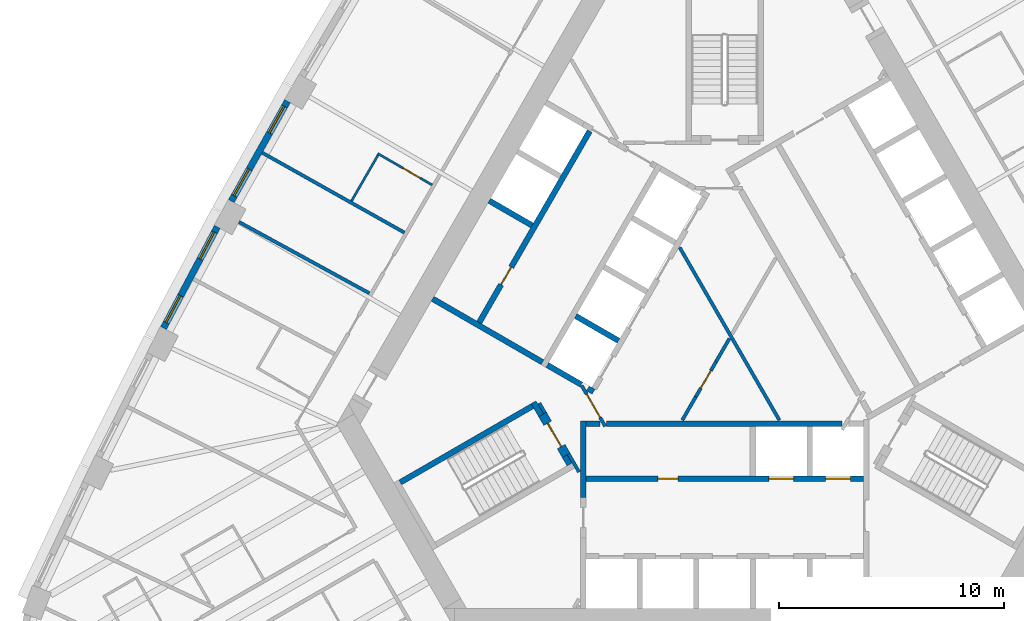
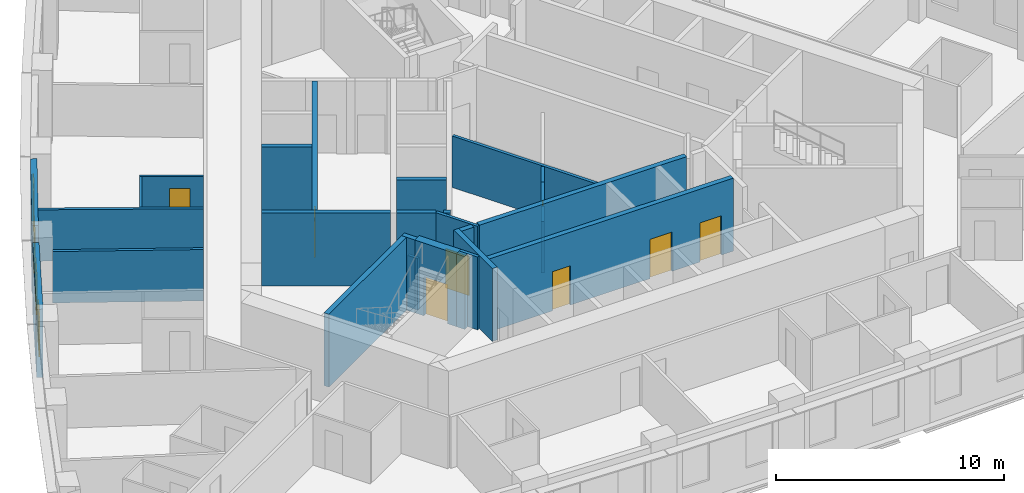
# One storey, part 5 of 12: 27 walls, 8 doors, 4 windows, 12 openings.
"""IFC4 building model written with IfcOpenShell, lengths in metres."""

from ifc_helpers import new_model, si_unit, direction, frame, frame_2d, origin, place, context, subcontext, project, spatial, rectangle, extrude, material, layer, layer_set, type_object, element, fill, save


model = new_model("IFC4")

# Units and contexts
model_context = context("Model", 3, precision=1e-05, world=origin(), true_north=direction((0.0, 1.0)))
body_context = subcontext(model_context, "Body", "Model", "MODEL_VIEW")
ifc_project = project(units=[si_unit("LENGTHUNIT", "METRE"), si_unit("AREAUNIT", "SQUARE_METRE"), si_unit("VOLUMEUNIT", "CUBIC_METRE"), si_unit("PLANEANGLEUNIT", "RADIAN"), si_unit("MASSUNIT", "GRAM", prefix="KILO")], contexts=[model_context])

# Site, building, storey
site_placement = place(None, origin())
site = spatial("IfcSite", under=ifc_project, at=site_placement, CompositionType="ELEMENT")
building_placement = place(site_placement, origin())
building = spatial("IfcBuilding", under=site, at=building_placement, Name="Mestral Congress Tower", CompositionType="ELEMENT")
storey_placement = place(building_placement, frame((0.0, 0.0, 122.699951171875)))
storey = spatial("IfcBuildingStorey", under=building, at=storey_placement, Name="L29", CompositionType="ELEMENT", Elevation=122.699951171875)

# Walls
ifc_material_1 = material(Name="Fire-rated board partition")
ifc_layer_1 = layer(ifc_material_1, 0.14990234375)
ifc_layer_set_1 = layer_set([ifc_layer_1], Name="Fire-rated board partition")
wall_type_1 = type_object("IfcWallType", Name="Core partition 150", PredefinedType="PARTITIONING", material=ifc_layer_set_1)
wall_1_placement = place(storey_placement, frame((-1.886962890625, -3.71826171875, 0.0), z_axis=(0.0, 0.0, 1.0), x_axis=(0.500057179532, 0.865992388649, 0.0)))
element("IfcWall", 1, at=wall_1_placement, inside=storey, type_object=wall_type_1, Name="L29 core wall", PredefinedType="PARTITIONING", context=body_context, shape_type="SweptSolid", body=[
    extrude(rectangle(XDim=1.199462890625, YDim=0.14990234375, at=frame_2d((0.599609375, 0.0))), origin(), (0.0, 0.0, 1.0), 2.75),
])
wall_2_placement = place(storey_placement, frame((-8.251953125, -2.958251953125, 0.0), z_axis=(0.0, 0.0, 1.0), x_axis=(0.500174715838, -0.865924508047, 0.0)))
element("IfcWall", 2, at=wall_2_placement, inside=storey, type_object=wall_type_1, Name="L29 core wall", PredefinedType="PARTITIONING", context=body_context, shape_type="SweptSolid", body=[
    extrude(rectangle(XDim=0.513916015625, YDim=0.14990234375, at=frame_2d((0.2568359375, 0.0))), origin(), (0.0, 0.0, 1.0), 2.75),
])
wall_3_placement = place(storey_placement, frame((2.435302734375, -3.71826171875, 0.0), z_axis=(0.0, 0.0, 1.0), x_axis=(-0.499985176046, 0.866033962229, 0.0)))
element("IfcWall", 3, at=wall_3_placement, inside=storey, type_object=wall_type_1, Name="L29 core wall", PredefinedType="PARTITIONING", context=body_context, shape_type="SweptSolid", body=[
    extrude(rectangle(XDim=8.875244140625, YDim=0.14990234375, at=frame_2d((4.4375, 0.0))), origin(), (0.0, 0.0, 1.0), 2.75),
])
wall_4_placement = place(storey_placement, frame((-0.38720703125, -1.12060546875, 0.0), z_axis=(0.0, 0.0, 1.0), x_axis=(0.500057179532, 0.865992388649, 0.0)))
element("IfcWall", 4, at=wall_4_placement, inside=storey, type_object=wall_type_1, Name="L29 core wall", PredefinedType="PARTITIONING", context=body_context, shape_type="SweptSolid", body=[
    extrude(rectangle(XDim=1.199462890625, YDim=0.14990234375, at=frame_2d((0.599609375, 0.0))), origin(), (0.0, 0.0, 1.0), 2.75),
])

# Wall, opening, door
wall_5_placement = place(storey_placement, frame((-1.287109375, -2.679443359375, 0.0), z_axis=(0.0, 0.0, 1.0), x_axis=(0.499961193289, 0.866047807691, 0.0)))
wall_5 = element("IfcWall", 5, at=wall_5_placement, inside=storey, type_object=wall_type_1, Name="L29 door wall", PredefinedType="PARTITIONING", context=body_context, shape_type="SweptSolid", body=[
    extrude(rectangle(XDim=1.800048828125, YDim=0.14990234375, at=frame_2d((0.89990234375, 0.0))), origin(), (0.0, 0.0, 1.0), 2.75),
])
opening_1_placement = place(wall_5_placement, frame((0.449951171875, 0.0, 0.0)))
opening_1 = element("IfcOpeningElement", 6, at=opening_1_placement, cuts=wall_5, Name="Opening SD-HUB2", PredefinedType="OPENING", context=body_context, shape_type="SweptSolid", body=[
    extrude(rectangle(XDim=0.89990234375, YDim=2.10009765625, at=frame_2d((0.449951171875, 1.050048828125))), frame((0.0, 0.0849609375, 0.0), z_axis=(0.0, -1.0, 0.0), x_axis=(1.0, 0.0, 0.0)), (0.0, 0.0, 1.0), 0.169921875),
])
ifc_material_2 = material(Name="Fire-rated steel door set", Category="steel")
door_type_1 = type_object("IfcDoorType", Name="Core door SR 900x2100", OperationType="SINGLE_SWING_LEFT", PredefinedType="DOOR", material=ifc_material_2)
door_1_placement = place(opening_1_placement, origin())
door_1 = element("IfcDoor", 7, at=door_1_placement, inside=storey, type_object=door_type_1, Name="Door SD-HUB2", OperationType="SINGLE_SWING_LEFT", OverallHeight=2.10009765625, OverallWidth=0.89990234375, PredefinedType="DOOR", context=body_context, shape_type="SweptSolid", body=[
    extrude(rectangle(XDim=0.89990234375, YDim=2.10009765625, at=frame_2d((0.449951171875, 1.050048828125))), frame((0.0, 0.02490234375, 0.0), z_axis=(0.0, -1.0, 0.0), x_axis=(1.0, 0.0, 0.0)), (0.0, 0.0, 1.0), 0.050048828125),
])
fill(opening_1, door_1)

# Wall, openings, windows
ifc_material_3 = material(Name="Precast concrete C40/50 with limestone facing", Category="masonry")
ifc_layer_2 = layer(ifc_material_3, 0.2900390625)
ifc_layer_set_2 = layer_set([ifc_layer_2], Name="Precast concrete C40/50 with limestone facing")
wall_type_2 = type_object("IfcWallType", Name="Facade stone wall 290", PredefinedType="SOLIDWALL", material=ifc_layer_set_2)
wall_6_placement = place(storey_placement, frame((-19.4580078125, 10.479736328125, 0.0), z_axis=(0.0, 0.0, 1.0), x_axis=(-0.48983164787, -0.87181704316, 0.0)))
wall_6 = element("IfcWall", 8, at=wall_6_placement, inside=storey, type_object=wall_type_2, Name="Facade wall F2-04", PredefinedType="SOLIDWALL", context=body_context, shape_type="SweptSolid", body=[
    extrude(rectangle(XDim=5.100341796875, YDim=0.2900390625, at=frame_2d((2.55029296875, 0.0))), origin(), (0.0, 0.0, 1.0), 3.650146484375),
])
opening_2_placement = place(wall_6_placement, frame((0.2724609375, 0.0, 0.89990234375)))
opening_2 = element("IfcOpeningElement", 9, at=opening_2_placement, cuts=wall_6, Name="Opening W2", PredefinedType="OPENING", context=body_context, shape_type="SweptSolid", body=[
    extrude(rectangle(XDim=1.35009765625, YDim=2.14990234375, at=frame_2d((0.675048828125, 1.074951171875))), frame((0.0, 0.155029296875, 0.0), z_axis=(0.0, -1.0, 0.0), x_axis=(1.0, 0.0, 0.0)), (0.0, 0.0, 1.0), 0.31005859375),
])
opening_3_placement = place(wall_6_placement, frame((3.477783203125, 0.0, 0.89990234375)))
opening_3 = element("IfcOpeningElement", 10, at=opening_3_placement, cuts=wall_6, Name="Opening W2", PredefinedType="OPENING", context=body_context, shape_type="SweptSolid", body=[
    extrude(rectangle(XDim=1.35009765625, YDim=2.14990234375, at=frame_2d((0.675048828125, 1.074951171875))), frame((0.0, 0.155029296875, 0.0), z_axis=(0.0, -1.0, 0.0), x_axis=(1.0, 0.0, 0.0)), (0.0, 0.0, 1.0), 0.31005859375),
])
ifc_material_4 = material(Name="Clear low-emissivity double glazing", Category="glass")
window_type = type_object("IfcWindowType", Name="Facade punched window 1350 x 2150 sill 900", PartitioningType="DOUBLE_PANEL_VERTICAL", PredefinedType="WINDOW", material=ifc_material_4)
window_1_placement = place(opening_2_placement, origin())
window_1 = element("IfcWindow", 11, at=window_1_placement, inside=storey, type_object=window_type, Name="Window F2-04a", OverallHeight=2.14990234375, OverallWidth=1.35009765625, PartitioningType="DOUBLE_PANEL_VERTICAL", PredefinedType="WINDOW", context=body_context, shape_type="SweptSolid", body=[
    extrude(rectangle(XDim=1.35009765625, YDim=2.14990234375, at=frame_2d((0.675048828125, 1.074951171875))), frame((0.0, 0.01513671875, 0.0), z_axis=(0.0, -1.0, 0.0), x_axis=(1.0, 0.0, 0.0)), (0.0, 0.0, 1.0), 0.06005859375),
])
fill(opening_2, window_1)
window_2_placement = place(opening_3_placement, origin())
window_2 = element("IfcWindow", 12, at=window_2_placement, inside=storey, type_object=window_type, Name="Window F2-04b", OverallHeight=2.14990234375, OverallWidth=1.35009765625, PartitioningType="DOUBLE_PANEL_VERTICAL", PredefinedType="WINDOW", context=body_context, shape_type="SweptSolid", body=[
    extrude(rectangle(XDim=1.35009765625, YDim=2.14990234375, at=frame_2d((0.675048828125, 1.074951171875))), frame((0.0, 0.01513671875, 0.0), z_axis=(0.0, -1.0, 0.0), x_axis=(1.0, 0.0, 0.0)), (0.0, 0.0, 1.0), 0.06005859375),
])
fill(opening_3, window_2)

wall_7_placement = place(storey_placement, frame((-22.5830078125, 4.88671875, 0.0), z_axis=(0.0, 0.0, 1.0), x_axis=(-0.469323203119, -0.883026461106, 0.0)))
wall_7 = element("IfcWall", 13, at=wall_7_placement, inside=storey, type_object=wall_type_2, Name="Facade wall F2-05", PredefinedType="SOLIDWALL", context=body_context, shape_type="SweptSolid", body=[
    extrude(rectangle(XDim=5.1005859375, YDim=0.2900390625, at=frame_2d((2.55029296875, 0.0))), origin(), (0.0, 0.0, 1.0), 3.650146484375),
])
opening_4_placement = place(wall_7_placement, frame((0.272705078125, 0.0, 0.89990234375)))
opening_4 = element("IfcOpeningElement", 14, at=opening_4_placement, cuts=wall_7, Name="Opening W2", PredefinedType="OPENING", context=body_context, shape_type="SweptSolid", body=[
    extrude(rectangle(XDim=1.35009765625, YDim=2.14990234375, at=frame_2d((0.675048828125, 1.074951171875))), frame((0.0, 0.155029296875, 0.0), z_axis=(0.0, -1.0, 0.0), x_axis=(1.0, 0.0, 0.0)), (0.0, 0.0, 1.0), 0.31005859375),
])
opening_5_placement = place(wall_7_placement, frame((3.477783203125, 0.0, 0.89990234375)))
opening_5 = element("IfcOpeningElement", 15, at=opening_5_placement, cuts=wall_7, Name="Opening W2", PredefinedType="OPENING", context=body_context, shape_type="SweptSolid", body=[
    extrude(rectangle(XDim=1.35009765625, YDim=2.14990234375, at=frame_2d((0.675048828125, 1.074951171875))), frame((0.0, 0.155029296875, 0.0), z_axis=(0.0, -1.0, 0.0), x_axis=(1.0, 0.0, 0.0)), (0.0, 0.0, 1.0), 0.31005859375),
])
window_3_placement = place(opening_4_placement, origin())
window_3 = element("IfcWindow", 16, at=window_3_placement, inside=storey, type_object=window_type, Name="Window F2-05a", OverallHeight=2.14990234375, OverallWidth=1.35009765625, PartitioningType="DOUBLE_PANEL_VERTICAL", PredefinedType="WINDOW", context=body_context, shape_type="SweptSolid", body=[
    extrude(rectangle(XDim=1.35009765625, YDim=2.14990234375, at=frame_2d((0.675048828125, 1.074951171875))), frame((0.0, 0.01513671875, 0.0), z_axis=(0.0, -1.0, 0.0), x_axis=(1.0, 0.0, 0.0)), (0.0, 0.0, 1.0), 0.06005859375),
])
fill(opening_4, window_3)
window_4_placement = place(opening_5_placement, origin())
window_4 = element("IfcWindow", 17, at=window_4_placement, inside=storey, type_object=window_type, Name="Window F2-05b", OverallHeight=2.14990234375, OverallWidth=1.35009765625, PartitioningType="DOUBLE_PANEL_VERTICAL", PredefinedType="WINDOW", context=body_context, shape_type="SweptSolid", body=[
    extrude(rectangle(XDim=1.35009765625, YDim=2.14990234375, at=frame_2d((0.675048828125, 1.074951171875))), frame((0.0, 0.01513671875, 0.0), z_axis=(0.0, -1.0, 0.0), x_axis=(1.0, 0.0, 0.0)), (0.0, 0.0, 1.0), 0.06005859375),
])
fill(opening_5, window_4)

# Wall, opening, door
ifc_material_5 = material(Name="Gypsum board partition on metal studs with mineral wool", Category="composite")
ifc_layer_3 = layer(ifc_material_5, 0.10009765625)
ifc_layer_set_3 = layer_set([ifc_layer_3], Name="Gypsum board partition on metal studs with mineral wool")
wall_type_3 = type_object("IfcWallType", Name="Hotel partition wall 100", PredefinedType="PARTITIONING", material=ifc_layer_set_3)
wall_8_placement = place(storey_placement, frame((-13.018798828125, 6.750732421875, 0.0), z_axis=(0.0, 0.0, 1.0), x_axis=(-0.866034573852, 0.49998411664, 0.0)))
wall_8 = element("IfcWall", 18, at=wall_8_placement, inside=storey, type_object=wall_type_3, Name="L29-h-pod15a", PredefinedType="PARTITIONING", context=body_context, shape_type="SweptSolid", body=[
    extrude(rectangle(XDim=2.7998046875, YDim=0.10009765625, at=frame_2d((1.39990234375, 0.0))), origin(), (0.0, 0.0, 1.0), 2.75),
])
opening_6_placement = place(wall_8_placement, frame((0.60009765625, 0.0, 0.0)))
opening_6 = element("IfcOpeningElement", 19, at=opening_6_placement, cuts=wall_8, Name="Opening H09-030", PredefinedType="OPENING", context=body_context, shape_type="SweptSolid", body=[
    extrude(rectangle(XDim=0.89990234375, YDim=2.10009765625, at=frame_2d((0.449951171875, 1.050048828125))), frame((0.0, 0.06005859375, 0.0), z_axis=(0.0, -1.0, 0.0), x_axis=(1.0, 0.0, 0.0)), (0.0, 0.0, 1.0), 0.1201171875),
])
ifc_material_6 = material(Name="Timber veneer door leaf in timber frame", Category="wood")
door_type_2 = type_object("IfcDoorType", Name="Bathroom door 900", OperationType="SINGLE_SWING_LEFT", PredefinedType="DOOR", material=ifc_material_6)
door_2_placement = place(opening_6_placement, origin())
door_2 = element("IfcDoor", 20, at=door_2_placement, inside=storey, type_object=door_type_2, Name="L29-h-d030", OperationType="SINGLE_SWING_RIGHT", OverallHeight=2.10009765625, OverallWidth=0.89990234375, PredefinedType="DOOR", context=body_context, shape_type="SweptSolid", body=[
    extrude(rectangle(XDim=0.89990234375, YDim=2.10009765625, at=frame_2d((0.449951171875, 1.050048828125))), frame((0.0, 0.02490234375, 0.0), z_axis=(0.0, -1.0, 0.0), x_axis=(1.0, 0.0, 0.0)), (0.0, 0.0, 1.0), 0.050048828125),
])
fill(opening_6, door_2)

# Walls
wall_9_placement = place(storey_placement, frame((-15.42529296875, 8.08251953125, 0.0), z_axis=(0.0, 0.0, 1.0), x_axis=(-0.500032858622, -0.866006432019, 0.0)))
element("IfcWall", 21, at=wall_9_placement, inside=storey, type_object=wall_type_3, Name="L29-h-pod15b", PredefinedType="PARTITIONING", context=body_context, shape_type="SweptSolid", body=[
    extrude(rectangle(XDim=2.360107421875, YDim=0.10009765625, at=frame_2d((1.18017578125, 0.0))), origin(), (0.0, 0.0, 1.0), 2.75),
])
ifc_layer_4 = layer(ifc_material_5, 0.14990234375)
ifc_layer_set_4 = layer_set([ifc_layer_4], Name="Gypsum board partition on metal studs with mineral wool")
wall_type_4 = type_object("IfcWallType", Name="Hotel partition wall 150", PredefinedType="PARTITIONING", material=ifc_layer_set_4)
wall_10_placement = place(storey_placement, frame((-21.614013671875, 5.1015625, 0.0), z_axis=(0.0, 0.0, 1.0), x_axis=(0.877484555087, -0.479604895287, 0.0)))
element("IfcWall", 22, at=wall_10_placement, inside=storey, type_object=wall_type_4, Name="L29-h-pw05", PredefinedType="PARTITIONING", context=body_context, shape_type="SweptSolid", body=[
    extrude(rectangle(XDim=6.611083984375, YDim=0.14990234375, at=frame_2d((3.3056640625, 0.0))), origin(), (0.0, 0.0, 1.0), 2.75),
])
wall_11_placement = place(storey_placement, frame((-20.580810546875, 8.185302734375, 0.0), z_axis=(0.0, 0.0, 1.0), x_axis=(0.871820720803, -0.489825102233, 0.0)))
element("IfcWall", 23, at=wall_11_placement, inside=storey, type_object=wall_type_4, Name="L29-h-pw06", PredefinedType="PARTITIONING", context=body_context, shape_type="SweptSolid", body=[
    extrude(rectangle(XDim=7.256591796875, YDim=0.14990234375, at=frame_2d((3.62841796875, 0.0))), origin(), (0.0, 0.0, 1.0), 2.75),
])
ifc_material_7 = material(Name="Concrete C60/75", Category="concrete")
ifc_layer_5 = layer(ifc_material_7, 0.25)
ifc_layer_set_5 = layer_set([ifc_layer_5], Name="Concrete C60/75")
wall_type_5 = type_object("IfcWallType", Name="Shaft wall RC 250", PredefinedType="SOLIDWALL", material=ifc_layer_set_5)
wall_12_placement = place(storey_placement, frame((-5.25927734375, -3.875, 0.0), z_axis=(0.0, 0.0, 1.0), x_axis=(1.0, 0.0, 0.0)))
element("IfcWall", 24, at=wall_12_placement, inside=storey, type_object=wall_type_5, Name="L29 core wall", PredefinedType="SOLIDWALL", context=body_context, shape_type="SweptSolid", body=[
    extrude(rectangle(XDim=10.488525390625, YDim=0.25, at=frame_2d((5.244140625, 0.0))), origin(), (0.0, 0.0, 1.0), 3.900146484375),
])
wall_13_placement = place(storey_placement, frame((-6.300048828125, -3.75, 0.0), z_axis=(0.0, 0.0, 1.0), x_axis=(0.0, -1.0, 0.0)))
element("IfcWall", 25, at=wall_13_placement, inside=storey, type_object=wall_type_5, Name="L29 core wall", PredefinedType="SOLIDWALL", context=body_context, shape_type="SweptSolid", body=[
    extrude(rectangle(XDim=3.404296875, YDim=0.25, at=frame_2d((1.7021484375, 0.0))), origin(), (0.0, 0.0, 1.0), 3.900146484375),
])
wall_14_placement = place(storey_placement, frame((-6.175048828125, -3.875, 0.0), z_axis=(0.0, 0.0, 1.0), x_axis=(1.0, 0.0, 0.0)))
element("IfcWall", 26, at=wall_14_placement, inside=storey, type_object=wall_type_5, Name="L29 core wall", PredefinedType="SOLIDWALL", context=body_context, shape_type="SweptSolid", body=[
    extrude(rectangle(XDim=0.63671875, YDim=0.25, at=frame_2d((0.318359375, 0.0))), origin(), (0.0, 0.0, 1.0), 3.900146484375),
])
wall_15_placement = place(storey_placement, frame((-4.72412109375, -0.182373046875, 0.0), z_axis=(0.0, 0.0, 1.0), x_axis=(-0.866008176907, 0.50002983664, 0.0)))
element("IfcWall", 27, at=wall_15_placement, inside=storey, type_object=wall_type_5, Name="L29 core wall", PredefinedType="SOLIDWALL", context=body_context, shape_type="SweptSolid", body=[
    extrude(rectangle(XDim=2.199951171875, YDim=0.25, at=frame_2d((1.10009765625, 0.0))), origin(), (0.0, 0.0, 1.0), 3.900146484375),
])
wall_16_placement = place(storey_placement, frame((-6.088134765625, -2.3046875, 0.0), z_axis=(0.0, 0.0, 1.0), x_axis=(0.866059450854, -0.499941024108, 0.0)))
element("IfcWall", 28, at=wall_16_placement, inside=storey, type_object=wall_type_5, Name="L29 core wall", PredefinedType="SOLIDWALL", context=body_context, shape_type="SweptSolid", body=[
    extrude(rectangle(XDim=0.2900390625, YDim=0.25, at=frame_2d((0.14501953125, 0.0))), origin(), (0.0, 0.0, 1.0), 3.900146484375),
])
wall_17_placement = place(storey_placement, frame((-7.889404296875, -1.2646484375, 0.0), z_axis=(0.0, 0.0, 1.0), x_axis=(0.865986741702, -0.500066958712, 0.0)))
element("IfcWall", 29, at=wall_17_placement, inside=storey, type_object=wall_type_5, Name="L29 core wall", PredefinedType="SOLIDWALL", context=body_context, shape_type="SweptSolid", body=[
    extrude(rectangle(XDim=1.738037109375, YDim=0.25, at=frame_2d((0.869140625, 0.0))), origin(), (0.0, 0.0, 1.0), 3.900146484375),
])
wall_18_placement = place(storey_placement, frame((-8.10595703125, -1.139892578125, 0.0), z_axis=(0.0, 0.0, 1.0), x_axis=(-0.866000643155, 0.500042884217, 0.0)))
element("IfcWall", 30, at=wall_18_placement, inside=storey, type_object=wall_type_5, Name="L29 core wall", PredefinedType="SOLIDWALL", context=body_context, shape_type="SweptSolid", body=[
    extrude(rectangle(XDim=5.64990234375, YDim=0.25, at=frame_2d((2.824951171875, 0.0))), origin(), (0.0, 0.0, 1.0), 3.900146484375),
])
wall_19_placement = place(storey_placement, frame((-8.57373046875, 4.949951171875, 0.0), z_axis=(0.0, 0.0, 1.0), x_axis=(-0.866008176907, 0.50002983664, 0.0)))
element("IfcWall", 31, at=wall_19_placement, inside=storey, type_object=wall_type_5, Name="L29 core wall", PredefinedType="SOLIDWALL", context=body_context, shape_type="SweptSolid", body=[
    extrude(rectangle(XDim=2.199951171875, YDim=0.25, at=frame_2d((1.10009765625, 0.0))), origin(), (0.0, 0.0, 1.0), 3.900146484375),
])

# Wall, openings, doors
wall_20_placement = place(storey_placement, frame((-6.175048828125, -6.324951171875, 0.0), z_axis=(0.0, 0.0, 1.0), x_axis=(1.0, 0.0, 0.0)))
wall_20 = element("IfcWall", 32, at=wall_20_placement, inside=storey, type_object=wall_type_5, Name="L29 door wall", PredefinedType="SOLIDWALL", context=body_context, shape_type="SweptSolid", body=[
    extrude(rectangle(XDim=12.35009765625, YDim=0.25, at=frame_2d((6.175048828125, 0.0))), origin(), (0.0, 0.0, 1.0), 3.900146484375),
])
opening_7_placement = place(wall_20_placement, frame((3.205078125, 0.0, 0.0)))
opening_7 = element("IfcOpeningElement", 33, at=opening_7_placement, cuts=wall_20, Name="Opening SR-SOB1", PredefinedType="OPENING", context=body_context, shape_type="SweptSolid", body=[
    extrude(rectangle(XDim=0.89990234375, YDim=2.10009765625, at=frame_2d((0.449951171875, 1.050048828125))), frame((0.0, 0.135009765625, 0.0), z_axis=(0.0, -1.0, 0.0), x_axis=(1.0, 0.0, 0.0)), (0.0, 0.0, 1.0), 0.27001953125),
])
opening_8_placement = place(wall_20_placement, frame((8.14501953125, 0.0, 0.0)))
opening_8 = element("IfcOpeningElement", 34, at=opening_8_placement, cuts=wall_20, Name="Opening LD-SOB4", PredefinedType="OPENING", context=body_context, shape_type="SweptSolid", body=[
    extrude(rectangle(XDim=1.10009765625, YDim=2.10009765625, at=frame_2d((0.550048828125, 1.050048828125))), frame((0.0, 0.135009765625, 0.0), z_axis=(0.0, -1.0, 0.0), x_axis=(1.0, 0.0, 0.0)), (0.0, 0.0, 1.0), 0.27001953125),
])
opening_9_placement = place(wall_20_placement, frame((10.6650390625, 0.0, 0.0)))
opening_9 = element("IfcOpeningElement", 35, at=opening_9_placement, cuts=wall_20, Name="Opening LD-SOB5", PredefinedType="OPENING", context=body_context, shape_type="SweptSolid", body=[
    extrude(rectangle(XDim=1.10009765625, YDim=2.10009765625, at=frame_2d((0.550048828125, 1.050048828125))), frame((0.0, 0.135009765625, 0.0), z_axis=(0.0, -1.0, 0.0), x_axis=(1.0, 0.0, 0.0)), (0.0, 0.0, 1.0), 0.27001953125),
])
door_type_3 = type_object("IfcDoorType", Name="Core door LD 1100x2100", OperationType="DOUBLE_DOOR_SLIDING", PredefinedType="DOOR", material=ifc_material_2)
door_3_placement = place(opening_8_placement, origin())
door_3 = element("IfcDoor", 36, at=door_3_placement, inside=storey, type_object=door_type_3, Name="Door LD-SOB4", OperationType="DOUBLE_DOOR_SLIDING", OverallHeight=2.10009765625, OverallWidth=1.10009765625, PredefinedType="DOOR", context=body_context, shape_type="SweptSolid", body=[
    extrude(rectangle(XDim=1.10009765625, YDim=2.10009765625, at=frame_2d((0.550048828125, 1.050048828125))), frame((0.0, 0.02490234375, 0.0), z_axis=(0.0, -1.0, 0.0), x_axis=(1.0, 0.0, 0.0)), (0.0, 0.0, 1.0), 0.050048828125),
])
fill(opening_8, door_3)
door_4_placement = place(opening_9_placement, origin())
door_4 = element("IfcDoor", 37, at=door_4_placement, inside=storey, type_object=door_type_3, Name="Door LD-SOB5", OperationType="DOUBLE_DOOR_SLIDING", OverallHeight=2.10009765625, OverallWidth=1.10009765625, PredefinedType="DOOR", context=body_context, shape_type="SweptSolid", body=[
    extrude(rectangle(XDim=1.10009765625, YDim=2.10009765625, at=frame_2d((0.550048828125, 1.050048828125))), frame((0.0, 0.02490234375, 0.0), z_axis=(0.0, -1.0, 0.0), x_axis=(1.0, 0.0, 0.0)), (0.0, 0.0, 1.0), 0.050048828125),
])
fill(opening_9, door_4)
door_5_placement = place(opening_7_placement, origin())
door_5 = element("IfcDoor", 38, at=door_5_placement, inside=storey, type_object=door_type_1, Name="Door SR-SOB1", OperationType="SINGLE_SWING_LEFT", OverallHeight=2.10009765625, OverallWidth=0.89990234375, PredefinedType="DOOR", context=body_context, shape_type="SweptSolid", body=[
    extrude(rectangle(XDim=0.89990234375, YDim=2.10009765625, at=frame_2d((0.449951171875, 1.050048828125))), frame((0.0, 0.02490234375, 0.0), z_axis=(0.0, -1.0, 0.0), x_axis=(1.0, 0.0, 0.0)), (0.0, 0.0, 1.0), 0.050048828125),
])
fill(opening_7, door_5)

# Wall, opening, door
wall_21_placement = place(storey_placement, frame((-6.0078125, 9.14404296875, 0.0), z_axis=(0.0, 0.0, 1.0), x_axis=(-0.500006956611, -0.866021387346, 0.0)))
wall_21 = element("IfcWall", 39, at=wall_21_placement, inside=storey, type_object=wall_type_5, Name="L29 door wall", PredefinedType="SOLIDWALL", context=body_context, shape_type="SweptSolid", body=[
    extrude(rectangle(XDim=9.829833984375, YDim=0.25, at=frame_2d((4.9150390625, 0.0))), origin(), (0.0, 0.0, 1.0), 3.900146484375),
])
opening_10_placement = place(wall_21_placement, frame((6.985107421875, 0.0, 0.0)))
opening_10 = element("IfcOpeningElement", 40, at=opening_10_placement, cuts=wall_21, Name="Opening SR-NWA2", PredefinedType="OPENING", context=body_context, shape_type="SweptSolid", body=[
    extrude(rectangle(XDim=0.89990234375, YDim=2.10009765625, at=frame_2d((0.449951171875, 1.050048828125))), frame((0.0, 0.135009765625, 0.0), z_axis=(0.0, -1.0, 0.0), x_axis=(1.0, 0.0, 0.0)), (0.0, 0.0, 1.0), 0.27001953125),
])
door_6_placement = place(opening_10_placement, origin())
door_6 = element("IfcDoor", 41, at=door_6_placement, inside=storey, type_object=door_type_1, Name="Door SR-NWA2", OperationType="SINGLE_SWING_LEFT", OverallHeight=2.10009765625, OverallWidth=0.89990234375, PredefinedType="DOOR", context=body_context, shape_type="SweptSolid", body=[
    extrude(rectangle(XDim=0.89990234375, YDim=2.10009765625, at=frame_2d((0.449951171875, 1.050048828125))), frame((0.0, 0.02490234375, 0.0), z_axis=(0.0, -1.0, 0.0), x_axis=(1.0, 0.0, 0.0)), (0.0, 0.0, 1.0), 0.050048828125),
])
fill(opening_10, door_6)

# Wall
ifc_layer_6 = layer(ifc_material_7, 0.14990234375)
ifc_layer_set_6 = layer_set([ifc_layer_6], Name="Concrete C60/75")
wall_type_6 = type_object("IfcWallType", Name="Shaft wall RC 250 door-wall 150", PredefinedType="SOLIDWALL", material=ifc_layer_set_6)
wall_22_placement = place(storey_placement, frame((-6.48046875, -6.026611328125, 0.0), z_axis=(0.0, 0.0, 1.0), x_axis=(-0.499927229454, 0.866067413802, 0.0)))
element("IfcWall", 42, at=wall_22_placement, inside=storey, type_object=wall_type_6, Name="L29 core wall", PredefinedType="PARTITIONING", context=body_context, shape_type="SweptSolid", body=[
    extrude(rectangle(XDim=0.928955078125, YDim=0.14990234375, at=frame_2d((0.46435546875, 0.0))), origin(), (0.0, 0.0, 1.0), 3.900146484375),
])

# Wall, opening, door
wall_23_placement = place(storey_placement, frame((-5.3173828125, -3.98974609375, 0.0), z_axis=(0.0, 0.0, 1.0), x_axis=(-0.500027713859, 0.866009402589, 0.0)))
wall_23 = element("IfcWall", 43, at=wall_23_placement, inside=storey, type_object=wall_type_6, Name="L29 door wall", PredefinedType="PARTITIONING", context=body_context, shape_type="SweptSolid", body=[
    extrude(rectangle(XDim=2.10009765625, YDim=0.14990234375, at=frame_2d((1.050048828125, 0.0))), origin(), (0.0, 0.0, 1.0), 3.900146484375),
])
opening_11_placement = place(wall_23_placement, frame((0.449951171875, 0.0, 0.0)))
opening_11 = element("IfcOpeningElement", 44, at=opening_11_placement, cuts=wall_23, Name="Opening CD3-FF", PredefinedType="OPENING", context=body_context, shape_type="SweptSolid", body=[
    extrude(rectangle(XDim=1.199951171875, YDim=2.10009765625, at=frame_2d((0.60009765625, 1.050048828125))), frame((0.0, 0.0849609375, 0.0), z_axis=(0.0, -1.0, 0.0), x_axis=(1.0, 0.0, 0.0)), (0.0, 0.0, 1.0), 0.169921875),
])
door_type_4 = type_object("IfcDoorType", Name="Core door CD 1200x2100", OperationType="SINGLE_SWING_LEFT", PredefinedType="DOOR", material=ifc_material_2)
door_7_placement = place(opening_11_placement, origin())
door_7 = element("IfcDoor", 45, at=door_7_placement, inside=storey, type_object=door_type_4, Name="Door CD3-FF", OperationType="SINGLE_SWING_LEFT", OverallHeight=2.10009765625, OverallWidth=1.199951171875, PredefinedType="DOOR", context=body_context, shape_type="SweptSolid", body=[
    extrude(rectangle(XDim=1.199951171875, YDim=2.10009765625, at=frame_2d((0.60009765625, 1.050048828125))), frame((0.0, 0.02490234375, 0.0), z_axis=(0.0, -1.0, 0.0), x_axis=(1.0, 0.0, 0.0)), (0.0, 0.0, 1.0), 0.050048828125),
])
fill(opening_11, door_7)

# Walls
ifc_layer_7 = layer(ifc_material_7, 0.25)
ifc_layer_set_7 = layer_set([ifc_layer_7], Name="Concrete C60/75")
wall_type_7 = type_object("IfcWallType", Name="Stair wall RC 250", PredefinedType="SOLIDWALL", material=ifc_layer_set_7)
wall_24_placement = place(storey_placement, frame((-14.43994140625, -6.489501953125, 0.0), z_axis=(0.0, 0.0, 1.0), x_axis=(0.866022966069, 0.500004222222, 0.0)))
element("IfcWall", 46, at=wall_24_placement, inside=storey, type_object=wall_type_7, Name="L29 core wall", PredefinedType="SOLIDWALL", context=body_context, shape_type="SweptSolid", body=[
    extrude(rectangle(XDim=6.80029296875, YDim=0.25, at=frame_2d((3.400146484375, 0.0))), origin(), (0.0, 0.0, 1.0), 3.900146484375),
])
wall_25_placement = place(storey_placement, frame((-8.167724609375, -3.503173828125, 0.0), z_axis=(0.0, 0.0, 1.0), x_axis=(-0.499952099219, 0.866053057547, 0.0)))
element("IfcWall", 47, at=wall_25_placement, inside=storey, type_object=wall_type_7, Name="L29 core wall", PredefinedType="SOLIDWALL", context=body_context, shape_type="SweptSolid", body=[
    extrude(rectangle(XDim=0.6748046875, YDim=0.25, at=frame_2d((0.33740234375, 0.0))), origin(), (0.0, 0.0, 1.0), 3.900146484375),
])
wall_26_placement = place(storey_placement, frame((-6.905029296875, -5.68994140625, 0.0), z_axis=(0.0, 0.0, 1.0), x_axis=(-0.500402024738, 0.865793170242, 0.0)))
element("IfcWall", 48, at=wall_26_placement, inside=storey, type_object=wall_type_7, Name="L29 core wall", PredefinedType="SOLIDWALL", context=body_context, shape_type="SweptSolid", body=[
    extrude(rectangle(XDim=0.425048828125, YDim=0.25, at=frame_2d((0.21240234375, 0.0))), origin(), (0.0, 0.0, 1.0), 3.900146484375),
])

# Wall, opening, door
ifc_layer_8 = layer(ifc_material_7, 0.39990234375)
ifc_layer_set_8 = layer_set([ifc_layer_8], Name="Concrete C60/75")
wall_type_8 = type_object("IfcWallType", Name="Stair wall RC 250 door-wall 400", PredefinedType="SOLIDWALL", material=ifc_layer_set_8)
wall_27_placement = place(storey_placement, frame((-8.102783203125, -3.4658203125, 0.0), z_axis=(0.0, 0.0, 1.0), x_axis=(0.500078061341, -0.865980330357, 0.0)))
wall_27 = element("IfcWall", 49, at=wall_27_placement, inside=storey, type_object=wall_type_8, Name="L29 door wall", PredefinedType="SOLIDWALL", context=body_context, shape_type="SweptSolid", body=[
    extrude(rectangle(XDim=2.099853515625, YDim=0.39990234375, at=frame_2d((1.0498046875, 0.0))), origin(), (0.0, 0.0, 1.0), 3.900146484375),
])
opening_12_placement = place(wall_27_placement, frame((0.449951171875, 0.0, 0.0)))
opening_12 = element("IfcOpeningElement", 50, at=opening_12_placement, cuts=wall_27, Name="Opening ST-D3", PredefinedType="OPENING", context=body_context, shape_type="SweptSolid", body=[
    extrude(rectangle(XDim=1.199951171875, YDim=2.10009765625, at=frame_2d((0.60009765625, 1.050048828125))), frame((0.0, 0.2099609375, 0.0), z_axis=(0.0, -1.0, 0.0), x_axis=(1.0, 0.0, 0.0)), (0.0, 0.0, 1.0), 0.419921875),
])
door_type_5 = type_object("IfcDoorType", Name="Core door ST 1200x2100", OperationType="SINGLE_SWING_LEFT", PredefinedType="DOOR", material=ifc_material_2)
door_8_placement = place(opening_12_placement, origin())
door_8 = element("IfcDoor", 51, at=door_8_placement, inside=storey, type_object=door_type_5, Name="Door ST-D3", OperationType="SINGLE_SWING_LEFT", OverallHeight=2.10009765625, OverallWidth=1.199951171875, PredefinedType="DOOR", context=body_context, shape_type="SweptSolid", body=[
    extrude(rectangle(XDim=1.199951171875, YDim=2.10009765625, at=frame_2d((0.60009765625, 1.050048828125))), frame((0.0, 0.02490234375, 0.0), z_axis=(0.0, -1.0, 0.0), x_axis=(1.0, 0.0, 0.0)), (0.0, 0.0, 1.0), 0.050048828125),
])
fill(opening_12, door_8)

save(model, "model.ifc")
